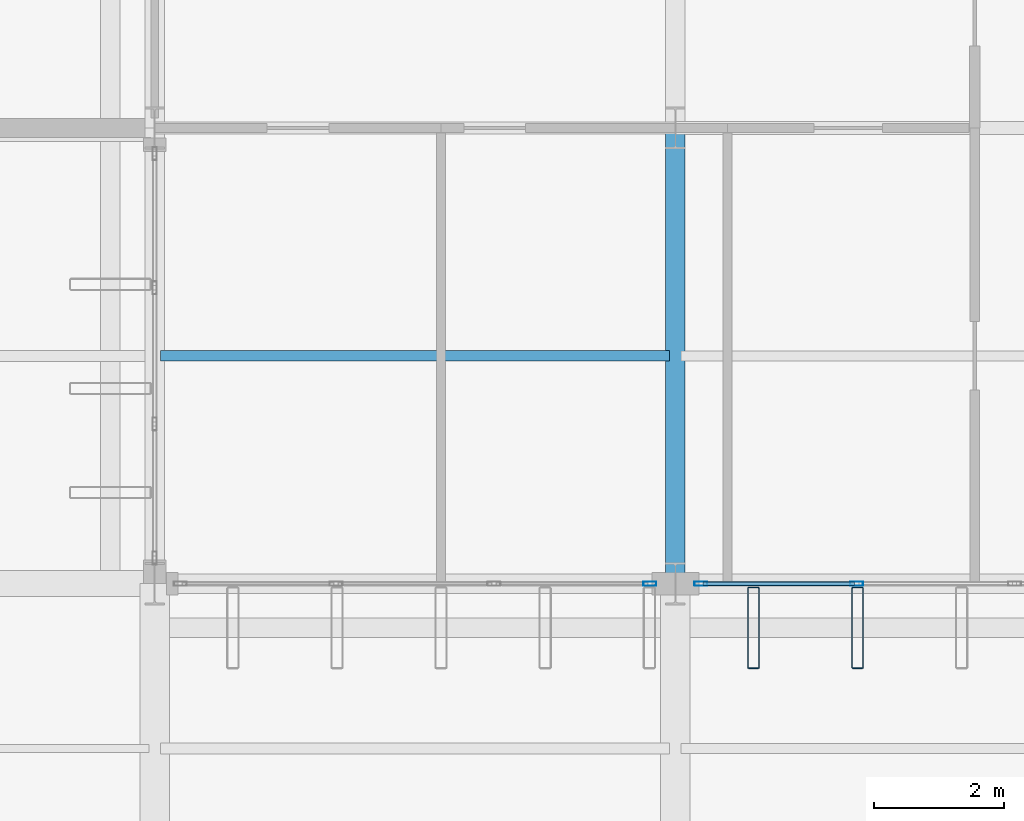
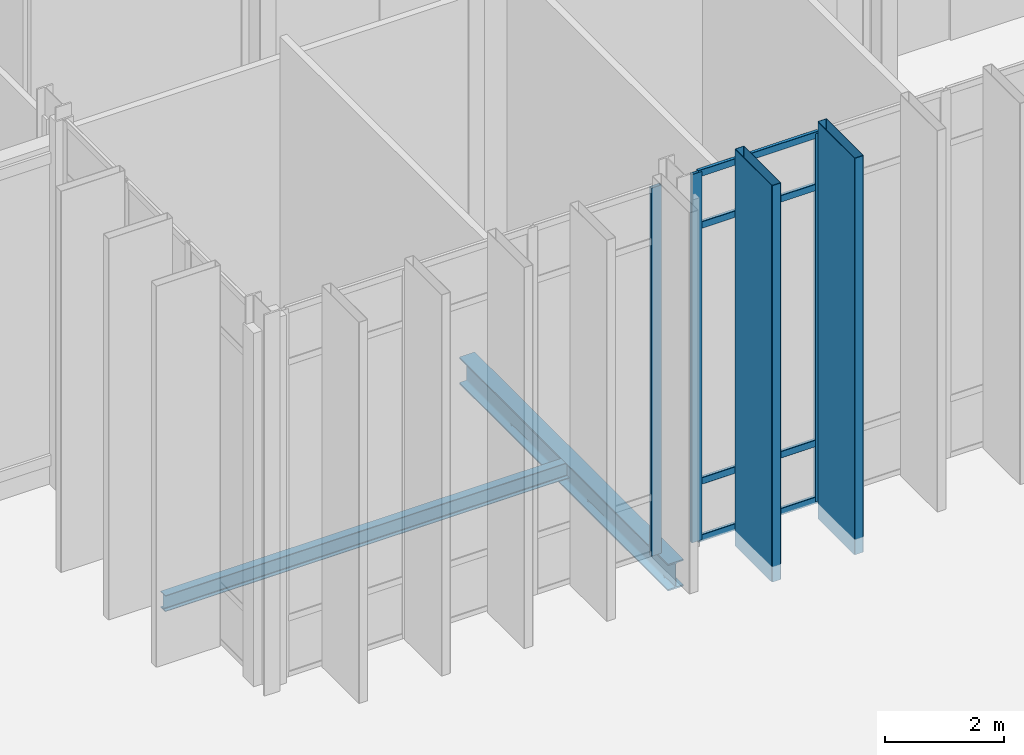
# One storey, part 42 of 176: 9 members, 2 beams, 2 elements without a shape of their own.
"""IFC4 building model written with IfcOpenShell, lengths in metres."""

import ifcopenshell
import ifcopenshell.guid

model = None  # the IFC model being written
_history = None  # IfcOwnerHistory: only IFC2X3 demands one
_inside = {}  # id of a spatial element -> (the spatial element, [elements in it])
_under = {}  # id of a project, library or spatial element -> (it, [spatial elements below it])
_declared = {}  # id of a project -> (the project, [libraries it declares])
_typed = {}  # id of a type object -> (the type object, [elements of that type])
_made_of = {}  # id of a material, layer set ... -> (it, [elements and type objects made of it])


def new_model(schema):
    """Start an empty IFC model of exactly this schema.

    Asked for "IFC4X3", IfcOpenShell would pick the latest addendum, in which some entities
    have other attributes; the version numbers below select the first issue.
    IFC2X3 requires an IfcOwnerHistory on every rooted entity: one is made here for all.
    """
    global model, _history
    if schema == "IFC4X3":
        model = ifcopenshell.file(schema_version=(4, 3, 0, 0))
    else:
        model = ifcopenshell.file(schema=schema)
    _inside.clear()
    _under.clear()
    _declared.clear()
    _typed.clear()
    _made_of.clear()
    _history = None
    if model.schema == "IFC2X3":
        org = make("IfcOrganization", Name="unknown")
        user = make(
            "IfcPersonAndOrganization",
            ThePerson=make("IfcPerson", FamilyName="unknown"),
            TheOrganization=org,
        )
        app = make(
            "IfcApplication",
            ApplicationDeveloper=org,
            Version="unknown",
            ApplicationFullName="unknown",
            ApplicationIdentifier="unknown",
        )
        _history = make(
            "IfcOwnerHistory",
            OwningUser=user,
            OwningApplication=app,
            ChangeAction="ADDED",
            CreationDate=0,
        )
    return model


def make(cls, **values):
    """One entity of the class cls with the attributes given. An attribute that is None is left unset."""
    return model.create_entity(
        cls, **{name: value for name, value in values.items() if value is not None}
    )


def rooted(cls, **values):
    """An entity with a GlobalId (a new one), such as an element, a storey or a relation."""
    return make(cls, GlobalId=ifcopenshell.guid.new(), OwnerHistory=_history, **values)


def si_unit(unit_type, name, prefix=None):
    """IfcSIUnit, for example si_unit("LENGTHUNIT", "METRE", prefix="MILLI")."""
    return make("IfcSIUnit", UnitType=unit_type, Prefix=prefix, Name=name)


def assignment(units):
    """IfcUnitAssignment: the units of a project."""
    return None if units is None else make("IfcUnitAssignment", Units=units)


def point(xyz):
    """IfcCartesianPoint."""
    return None if xyz is None else make("IfcCartesianPoint", Coordinates=xyz)


def direction(xyz):
    """IfcDirection."""
    return None if xyz is None else make("IfcDirection", DirectionRatios=xyz)


def frame(location, z_axis=None, x_axis=None):
    """IfcAxis2Placement3D, a coordinate frame: its origin and axes. An axis left out is left unset."""
    return make(
        "IfcAxis2Placement3D",
        Location=point(location),
        Axis=direction(z_axis),
        RefDirection=direction(x_axis),
    )


def frame_2d(location, x_axis=None):
    """IfcAxis2Placement2D, a coordinate frame in the plane: its origin and x axis."""
    return make(
        "IfcAxis2Placement2D", Location=point(location), RefDirection=direction(x_axis)
    )


def origin():
    """The frame at (0, 0, 0) with its axes left unset."""
    return frame((0.0, 0.0, 0.0))


def origin_2d():
    """The frame at (0, 0) in the plane with its x axis left unset."""
    return frame_2d((0.0, 0.0))


def place(relative_to, where):
    """IfcLocalPlacement: puts the frame where relative to a parent placement (None: the world)."""
    return make(
        "IfcLocalPlacement", PlacementRelTo=relative_to, RelativePlacement=where
    )


def context(
    kind, dimensions, precision=None, world=None, true_north=None, identifier=None
):
    """IfcGeometricRepresentationContext, for example the 3D "Model" context."""
    return make(
        "IfcGeometricRepresentationContext",
        ContextIdentifier=identifier,
        ContextType=kind,
        CoordinateSpaceDimension=dimensions,
        Precision=precision,
        WorldCoordinateSystem=world,
        TrueNorth=true_north,
    )


def subcontext(parent, identifier, kind, view, scale=None):
    """IfcGeometricRepresentationSubContext, for example "Body" below "Model"."""
    return make(
        "IfcGeometricRepresentationSubContext",
        ContextIdentifier=identifier,
        ContextType=kind,
        ParentContext=parent,
        TargetScale=scale,
        TargetView=view,
    )


def project(units=None, contexts=None):
    """IfcProject with its units and contexts."""
    return rooted(
        "IfcProject",
        Name="project",
        RepresentationContexts=contexts,
        UnitsInContext=assignment(units),
    )


def spatial(cls, under=None, at=None, **own):
    """A site, building, storey or space (cls), placed at a placement, below another one or the project."""
    s = rooted(cls, ObjectPlacement=at, **own)
    if under is not None:
        _under.setdefault(under.id(), (under, []))[1].append(s)
    return s


def profile(cls, at=None, kind="AREA", **sizes):
    """A parametric profile (cls). Its sizes go by their IFC names, for example OverallWidth=200.0."""
    return make(cls, ProfileType=kind, Position=at, **sizes)


def hollow_rectangle(**sizes):
    """IfcRectangleHollowProfileDef."""
    return profile("IfcRectangleHollowProfileDef", **sizes)


def i_section(**sizes):
    """IfcIShapeProfileDef."""
    return profile("IfcIShapeProfileDef", **sizes)


def extrude(swept, where, along, depth):
    """IfcExtrudedAreaSolid: the profile swept, set in the frame where, extruded along a direction by depth."""
    return make(
        "IfcExtrudedAreaSolid",
        SweptArea=swept,
        Position=where,
        ExtrudedDirection=direction(along),
        Depth=depth,
    )


def shape(context_of_items, identifier, shape_type, items):
    """IfcShapeRepresentation: the items that make up one representation, for example the "Body"."""
    return make(
        "IfcShapeRepresentation",
        ContextOfItems=context_of_items,
        RepresentationIdentifier=identifier,
        RepresentationType=shape_type,
        Items=items,
    )


def material(Name=None, Category=None):
    """IfcMaterial."""
    return make("IfcMaterial", Name=Name, Category=Category)


def layer(
    of_material, thickness, ventilated=None, Name=None, Category=None, Priority=None
):
    """IfcMaterialLayer: one layer of a wall or slab, of a material (None: an air gap)."""
    return make(
        "IfcMaterialLayer",
        Material=of_material,
        LayerThickness=thickness,
        IsVentilated=ventilated,
        Name=Name,
        Category=Category,
        Priority=Priority,
    )


def layer_set(layers, Name=None):
    """IfcMaterialLayerSet."""
    return make("IfcMaterialLayerSet", MaterialLayers=layers, LayerSetName=Name)


def material_profile(
    of_material, cross_section, Name=None, Category=None, Priority=None
):
    """IfcMaterialProfile: a cross section and its material."""
    return make(
        "IfcMaterialProfile",
        Name=Name,
        Material=of_material,
        Profile=cross_section,
        Priority=Priority,
        Category=Category,
    )


def profile_set(profiles, Name=None, composite=None):
    """IfcMaterialProfileSet."""
    return make(
        "IfcMaterialProfileSet",
        Name=Name,
        MaterialProfiles=profiles,
        CompositeProfile=composite,
    )


def made_of(thing, what):
    """Note that an element or type object is made of a material, layer set ...; save() writes the relation."""
    if what is not None:
        _made_of.setdefault(what.id(), (what, []))[1].append(thing)
    return thing


def type_object(cls, material=None, **own):
    """A type object (cls), such as IfcWallType, which elements share."""
    return made_of(rooted(cls, **own), material)


def element(
    cls,
    number,
    at=None,
    inside=None,
    cuts=None,
    type_object=None,
    material=None,
    context=None,
    identifier="Body",
    shape_type=None,
    held_by="IfcProductDefinitionShape",
    body=None,
    shapes=None,
    **own,
):
    """One element of the class cls, such as IfcWall. Its Tag is "e" and its number.

    at: its placement. inside: the storey or other place that contains it. cuts: it is an
    opening in that element (IfcRelVoidsElement). A single representation is given by context,
    identifier, shape_type and body (its items); several are given by shapes. held_by: the class
    of the entity that holds the representations. save() writes the other relations.
    """
    e = rooted(cls, Tag="e%d" % number, ObjectPlacement=at, **own)
    if body is not None:
        shapes = [shape(context, identifier, shape_type, body)]
    if shapes is not None:
        e.Representation = make(held_by, Representations=shapes)
    if inside is not None:
        _inside.setdefault(inside.id(), (inside, []))[1].append(e)
    if cuts is not None:
        rooted(
            "IfcRelVoidsElement", RelatingBuildingElement=cuts, RelatedOpeningElement=e
        )
    if type_object is not None:
        _typed.setdefault(type_object.id(), (type_object, []))[1].append(e)
    return made_of(e, material)


def aggregate(whole, parts):
    """IfcRelAggregates: a whole, such as a stair, and the parts it consists of."""
    return rooted("IfcRelAggregates", RelatingObject=whole, RelatedObjects=parts)


def save(model, path):
    """Write the relations noted so far, then the file.

    IfcRelAggregates (storeys below a building ...), IfcRelContainedInSpatialStructure (elements
    in a storey), IfcRelDefinesByType, IfcRelAssociatesMaterial and IfcRelDeclares: one each for
    every whole, place, type object, material and project.
    """
    for whole, parts in _under.values():
        aggregate(whole, parts)
    for where, things in _inside.values():
        rooted(
            "IfcRelContainedInSpatialStructure",
            RelatedElements=things,
            RelatingStructure=where,
        )
    for kind, things in _typed.values():
        rooted("IfcRelDefinesByType", RelatedObjects=things, RelatingType=kind)
    for what, things in _made_of.values():
        rooted("IfcRelAssociatesMaterial", RelatedObjects=things, RelatingMaterial=what)
    for by, libraries in _declared.values():
        rooted("IfcRelDeclares", RelatingContext=by, RelatedDefinitions=libraries)
    model.write(path)


model = new_model("IFC4")

# Units and contexts
model_context = context("Model", 3, precision=1e-05, world=origin(), true_north=direction((0.0, 1.0)))
body_context = subcontext(model_context, "Body", "Model", "MODEL_VIEW")
ifc_project = project(units=[si_unit("LENGTHUNIT", "METRE"), si_unit("AREAUNIT", "SQUARE_METRE"), si_unit("VOLUMEUNIT", "CUBIC_METRE"), si_unit("PLANEANGLEUNIT", "RADIAN"), si_unit("MASSUNIT", "GRAM", prefix="KILO")], contexts=[model_context])

# Site, building, storey
site_placement = place(None, origin())
site = spatial("IfcSite", under=ifc_project, at=site_placement, CompositionType="ELEMENT")
building_placement = place(site_placement, origin())
building = spatial("IfcBuilding", under=site, at=building_placement, Name="Vekula Escarpment Museum", CompositionType="ELEMENT")
storey_placement = place(building_placement, origin())
storey = spatial("IfcBuildingStorey", under=building, at=storey_placement, Name="L01", CompositionType="ELEMENT", Elevation=0.0)

# Beams
ifc_material_1 = material(Name="Steel S355", Category="steel")
ifc_material_profile_1 = material_profile(ifc_material_1, i_section(OverallWidth=0.300048828125, OverallDepth=0.550048828125, WebThickness=0.014892578125, FlangeThickness=0.029052734375, FilletRadius=0.027099609375, at=origin_2d()), Name="HEB 550")
ifc_profile_set_1 = profile_set([ifc_material_profile_1], Name="Steel S355")
beam_type_1 = type_object("IfcBeamType", Name="BM-GIRD-HEB550", PredefinedType="BEAM", material=ifc_profile_set_1)
beam_1_placement = place(storey_placement, frame((78.0, 45.60009765625, -0.574951171875), z_axis=(0.0, 1.0, 0.0), x_axis=(-1.0, 0.0, 0.0)))
element("IfcBeam", 1, at=beam_1_placement, inside=storey, type_object=beam_type_1, Name="Beam Y L01 0555", PredefinedType="BEAM", context=body_context, shape_type="SweptSolid", body=[
    extrude(i_section(OverallWidth=0.300048828125, OverallDepth=0.550048828125, WebThickness=0.014892578125, FlangeThickness=0.029052734375, FilletRadius=0.027099609375, at=origin_2d()), origin(), (0.0, 0.0, 1.0), 7.0),
])
ifc_material_2 = material(Name="Steel S355", Category="steel")
ifc_material_profile_2 = material_profile(ifc_material_2, i_section(OverallWidth=0.159912109375, OverallDepth=0.330078125, WebThickness=0.007568359375, FlangeThickness=0.011474609375, FilletRadius=0.01806640625, at=origin_2d()), Name="IPE 330")
ifc_profile_set_2 = profile_set([ifc_material_profile_2], Name="Steel S355")
beam_type_2 = type_object("IfcBeamType", Name="BM-JST-IPE330", PredefinedType="JOIST", material=ifc_profile_set_2)
beam_2_placement = place(storey_placement, frame((70.090087890625, 49.10009765625, -0.465087890625), z_axis=(1.0, 0.0, 0.0), x_axis=(0.0, 1.0, 0.0)))
element("IfcBeam", 2, at=beam_2_placement, inside=storey, type_object=beam_type_2, Name="Secondary Joist L01 0238", PredefinedType="JOIST", context=body_context, shape_type="SweptSolid", body=[
    extrude(i_section(OverallWidth=0.159912109375, OverallDepth=0.330078125, WebThickness=0.007568359375, FlangeThickness=0.011474609375, FilletRadius=0.01806640625, at=origin_2d()), origin(), (0.0, 0.0, 1.0), 7.81982421875),
])

# Curtain wall, member
ifc_material_3 = material(Name="Aluminium thermally broken framing", Category="aluminium")
ifc_layer_1 = layer(ifc_material_3, 0.199951171875)
ifc_layer_set_1 = layer_set([ifc_layer_1], Name="Aluminium thermally broken framing")
curtain_wall_type_1 = type_object("IfcCurtainWallType", Name="CW-SYS-04", PredefinedType="NOTDEFINED", material=ifc_layer_set_1)
curtain_wall_1_placement = place(storey_placement, origin())
curtain_wall_1 = element("IfcCurtainWall", 3, at=curtain_wall_1_placement, inside=storey, type_object=curtain_wall_type_1, Name="Curtain Wall CW-L01-044", PredefinedType="NOTDEFINED")
ifc_material_4 = material(Name="Aluminium anodized mullion", Category="aluminium")
ifc_material_profile_3 = material_profile(ifc_material_4, hollow_rectangle(XDim=0.06494140625, YDim=0.199951171875, WallThickness=0.00390625, InnerFilletRadius=0.00390625, OuterFilletRadius=0.008056640625, at=origin_2d()), Name="ALU 200x65x4")
ifc_profile_set_3 = profile_set([ifc_material_profile_3], Name="Aluminium anodized mullion")
member_type_1 = type_object("IfcMemberType", Name="CW-MUL-200", PredefinedType="MULLION", material=ifc_profile_set_3)
member_1_placement = place(storey_placement, frame((77.607421875, 45.60009765625, 0.0), z_axis=(0.0, 0.0, 1.0), x_axis=(0.0, 1.0, 0.0)))
member_1 = element("IfcMember", 4, at=member_1_placement, type_object=member_type_1, Name="CW-04 mullion 4", PredefinedType="MULLION", context=body_context, shape_type="SweptSolid", body=[
    extrude(hollow_rectangle(XDim=0.06494140625, YDim=0.199951171875, WallThickness=0.00390625, InnerFilletRadius=0.00390625, OuterFilletRadius=0.008056640625, at=origin_2d()), origin(), (0.0, 0.0, 1.0), 7.5400390625),
])
aggregate(curtain_wall_1, [member_1])

# Curtain wall, members
ifc_material_5 = material(Name="Aluminium thermally broken framing", Category="aluminium")
ifc_layer_2 = layer(ifc_material_5, 0.159912109375)
ifc_layer_set_2 = layer_set([ifc_layer_2], Name="Aluminium thermally broken framing")
curtain_wall_type_2 = type_object("IfcCurtainWallType", Name="CW-SYS-05", PredefinedType="NOTDEFINED", material=ifc_layer_set_2)
curtain_wall_2_placement = place(storey_placement, origin())
curtain_wall_2 = element("IfcCurtainWall", 5, at=curtain_wall_2_placement, inside=storey, type_object=curtain_wall_type_2, Name="Curtain Wall CW-L01-045", PredefinedType="NOTDEFINED")
member_2_placement = place(storey_placement, frame((78.392578125, 45.60009765625, 0.0), z_axis=(0.0, 0.0, 1.0), x_axis=(0.0, 1.0, 0.0)))
member_2 = element("IfcMember", 6, at=member_2_placement, type_object=member_type_1, Name="CW-05 mullion 1", PredefinedType="MULLION", context=body_context, shape_type="SweptSolid", body=[
    extrude(hollow_rectangle(XDim=0.06494140625, YDim=0.199951171875, WallThickness=0.00390625, InnerFilletRadius=0.00390625, OuterFilletRadius=0.008056640625, at=origin_2d()), origin(), (0.0, 0.0, 1.0), 7.5400390625),
])
member_3_placement = place(storey_placement, frame((80.78662109375, 45.60009765625, 0.0), z_axis=(0.0, 0.0, 1.0), x_axis=(0.0, 1.0, 0.0)))
member_3 = element("IfcMember", 7, at=member_3_placement, type_object=member_type_1, Name="CW-05 mullion 2", PredefinedType="MULLION", context=body_context, shape_type="SweptSolid", body=[
    extrude(hollow_rectangle(XDim=0.06494140625, YDim=0.199951171875, WallThickness=0.00390625, InnerFilletRadius=0.00390625, OuterFilletRadius=0.008056640625, at=origin_2d()), origin(), (0.0, 0.0, 1.0), 7.5400390625),
])
ifc_material_6 = material(Name="Aluminium anodized transom", Category="aluminium")
ifc_material_profile_4 = material_profile(ifc_material_6, hollow_rectangle(XDim=0.06494140625, YDim=0.139892578125, WallThickness=0.00390625, InnerFilletRadius=0.00390625, OuterFilletRadius=0.008056640625, at=origin_2d()), Name="ALU 140x65x4")
ifc_profile_set_4 = profile_set([ifc_material_profile_4], Name="Aluminium anodized transom")
member_type_2 = type_object("IfcMemberType", Name="CW-TRN-140", PredefinedType="USERDEFINED", material=ifc_profile_set_4)
member_4_placement = place(storey_placement, frame((78.425048828125, 45.60009765625, 0.032470703125), z_axis=(1.0, 0.0, 0.0), x_axis=(0.0, 1.0, 0.0)))
member_4 = element("IfcMember", 8, at=member_4_placement, type_object=member_type_2, Name="CW-05 transom 1.1", ObjectType="TRANSOM", PredefinedType="USERDEFINED", context=body_context, shape_type="SweptSolid", body=[
    extrude(hollow_rectangle(XDim=0.06494140625, YDim=0.139892578125, WallThickness=0.00390625, InnerFilletRadius=0.00390625, OuterFilletRadius=0.008056640625, at=origin_2d()), origin(), (0.0, 0.0, 1.0), 2.3291015625),
])
member_5_placement = place(storey_placement, frame((78.425048828125, 45.60009765625, 1.199951171875), z_axis=(1.0, 0.0, 0.0), x_axis=(0.0, 1.0, 0.0)))
member_5 = element("IfcMember", 9, at=member_5_placement, type_object=member_type_2, Name="CW-05 transom 1.2", ObjectType="TRANSOM", PredefinedType="USERDEFINED", context=body_context, shape_type="SweptSolid", body=[
    extrude(hollow_rectangle(XDim=0.06494140625, YDim=0.139892578125, WallThickness=0.00390625, InnerFilletRadius=0.00390625, OuterFilletRadius=0.008056640625, at=origin_2d()), origin(), (0.0, 0.0, 1.0), 2.3291015625),
])
member_6_placement = place(storey_placement, frame((78.425048828125, 45.60009765625, 6.43994140625), z_axis=(1.0, 0.0, 0.0), x_axis=(0.0, 1.0, 0.0)))
member_6 = element("IfcMember", 10, at=member_6_placement, type_object=member_type_2, Name="CW-05 transom 1.3", ObjectType="TRANSOM", PredefinedType="USERDEFINED", context=body_context, shape_type="SweptSolid", body=[
    extrude(hollow_rectangle(XDim=0.06494140625, YDim=0.139892578125, WallThickness=0.00390625, InnerFilletRadius=0.00390625, OuterFilletRadius=0.008056640625, at=origin_2d()), origin(), (0.0, 0.0, 1.0), 2.3291015625),
])
member_7_placement = place(storey_placement, frame((78.425048828125, 45.60009765625, 7.507568359375), z_axis=(1.0, 0.0, 0.0), x_axis=(0.0, 1.0, 0.0)))
member_7 = element("IfcMember", 11, at=member_7_placement, type_object=member_type_2, Name="CW-05 transom 1.4", ObjectType="TRANSOM", PredefinedType="USERDEFINED", context=body_context, shape_type="SweptSolid", body=[
    extrude(hollow_rectangle(XDim=0.06494140625, YDim=0.139892578125, WallThickness=0.00390625, InnerFilletRadius=0.00390625, OuterFilletRadius=0.008056640625, at=origin_2d()), origin(), (0.0, 0.0, 1.0), 2.3291015625),
])
aggregate(curtain_wall_2, [member_2, member_3, member_4, member_5, member_6, member_7])

# Members
ifc_material_7 = material(Name="Steel S355 weathered bronze solar fin", Category="steel")
ifc_material_profile_5 = material_profile(ifc_material_7, hollow_rectangle(XDim=0.179931640625, YDim=1.25, WallThickness=0.010009765625, InnerFilletRadius=0.010009765625, OuterFilletRadius=0.02001953125, at=origin_2d()), Name="RHS 1250x180x10")
ifc_profile_set_5 = profile_set([ifc_material_profile_5], Name="Steel S355 weathered bronze solar fin")
member_type_3 = type_object("IfcMemberType", Name="MB-SOLAR-FIN", PredefinedType="USERDEFINED", material=ifc_profile_set_5)
for number, where, z_axis, x_axis, name in (
    (12, (79.199951171875, 44.919921875, -0.320068359375), (0.0, 0.0, 1.0), (1.0, 0.0, 0.0), "Great Hall Vertical Solar Fin 0026"),
    (13, (80.800048828125, 44.919921875, -0.320068359375), (0.0, 0.0, 1.0), (1.0, 0.0, 0.0), "Great Hall Vertical Solar Fin 0031"),
):
    element("IfcMember", number, at=place(storey_placement, frame(where, z_axis=z_axis, x_axis=x_axis)), inside=storey, type_object=member_type_3, Name=name, ObjectType="SOLAR FIN", PredefinedType="USERDEFINED", context=body_context, shape_type="SweptSolid", body=[
        extrude(hollow_rectangle(XDim=0.179931640625, YDim=1.25, WallThickness=0.010009765625, InnerFilletRadius=0.010009765625, OuterFilletRadius=0.02001953125, at=origin_2d()), origin(), (0.0, 0.0, 1.0), 8.1201171875),
    ])

save(model, "model.ifc")
